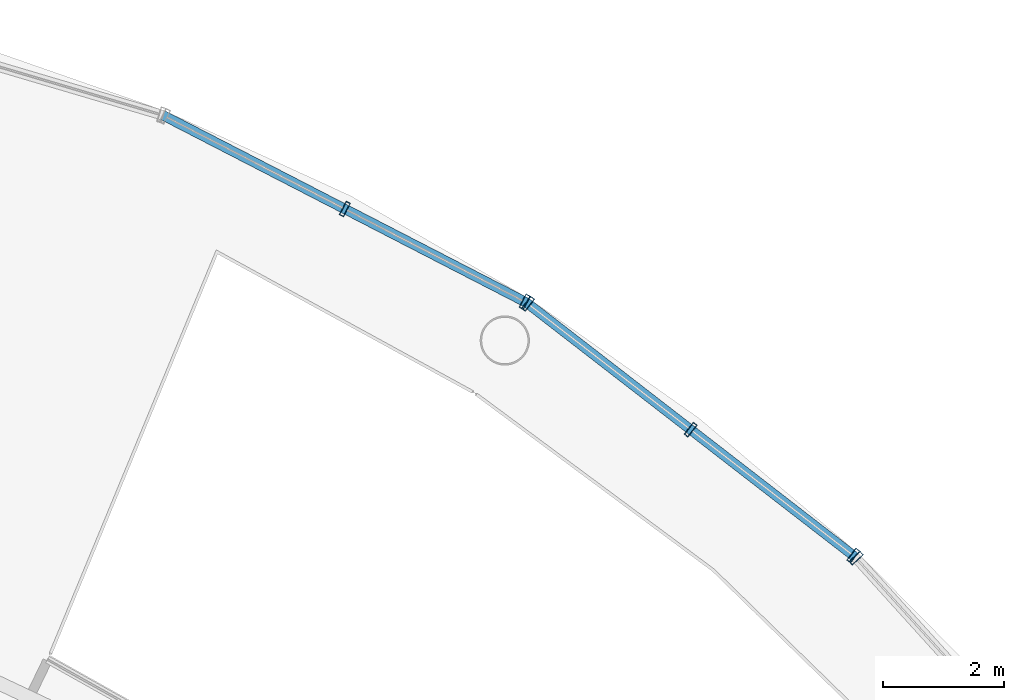
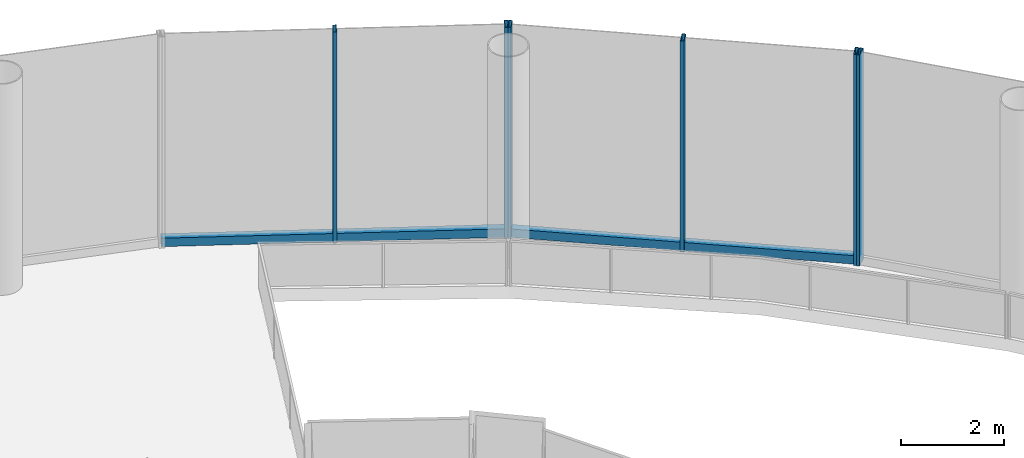
# One storey, part 36 of 47: 8 members, 3 elements without a shape of their own.
"""IFC4 building model written with IfcOpenShell, lengths in metres."""

from ifc_helpers import new_model, si_unit, direction, frame, origin, origin_2d, place, context, subcontext, project, spatial, hollow_rectangle, extrude, material, layer, layer_set, material_profile, profile_set, type_object, element, aggregate, save


model = new_model("IFC4")

# Units and contexts
model_context = context("Model", 3, precision=1e-05, world=origin(), true_north=direction((0.0, 1.0)))
body_context = subcontext(model_context, "Body", "Model", "MODEL_VIEW")
ifc_project = project(units=[si_unit("LENGTHUNIT", "METRE"), si_unit("AREAUNIT", "SQUARE_METRE"), si_unit("VOLUMEUNIT", "CUBIC_METRE"), si_unit("PLANEANGLEUNIT", "RADIAN"), si_unit("MASSUNIT", "GRAM", prefix="KILO")], contexts=[model_context])

# Site, building, storey
site_placement = place(None, origin())
site = spatial("IfcSite", under=ifc_project, at=site_placement, CompositionType="ELEMENT")
building_placement = place(site_placement, origin())
building = spatial("IfcBuilding", under=site, at=building_placement, Name="Nagisa Residences", CompositionType="ELEMENT")
storey_placement = place(building_placement, frame((0.0, 0.0, 17.0)))
storey = spatial("IfcBuildingStorey", under=building, at=storey_placement, Name="L03", CompositionType="ELEMENT", Elevation=17.0)

# Curtain wall, member
ifc_material_1 = material(Name="Stainless steel curtain wall system", Category="steel")
ifc_layer = layer(ifc_material_1, 0.159912109375)
ifc_layer_set = layer_set([ifc_layer], Name="CW3 CURTAIN WALL")
curtain_wall_type = type_object("IfcCurtainWallType", Name="CW3 CURTAIN WALL", PredefinedType="NOTDEFINED", material=ifc_layer_set)
curtain_wall_1_placement = place(storey_placement, origin())
curtain_wall_1 = element("IfcCurtainWall", 1, at=curtain_wall_1_placement, inside=storey, type_object=curtain_wall_type, Name="cw:CW3:L03:04", PredefinedType="NOTDEFINED")
ifc_material_2 = material(Name="Stainless steel", Category="steel")
ifc_material_profile_1 = material_profile(ifc_material_2, hollow_rectangle(XDim=0.25, YDim=0.080078125, WallThickness=0.008056640625, at=origin_2d()), Name="CW3 MULLION 250x80")
ifc_profile_set_1 = profile_set([ifc_material_profile_1], Name="Stainless steel")
member_type_1 = type_object("IfcMemberType", Name="CW3 MULLION 250x80", PredefinedType="MULLION", material=ifc_profile_set_1)
member_1_placement = place(storey_placement, frame((27.993408203125, 32.090576171875, 0.0), z_axis=(0.0, 0.0, 1.0), x_axis=(-0.741535779122, -0.670913323971, 0.0)))
member_1 = element("IfcMember", 2, at=member_1_placement, type_object=member_type_1, Name="CW3 mullion", PredefinedType="MULLION", context=body_context, shape_type="SweptSolid", body=[
    extrude(hollow_rectangle(XDim=0.25, YDim=0.080078125, WallThickness=0.008056640625, at=origin_2d()), origin(), (0.0, 0.0, 1.0), 5.0),
])
aggregate(curtain_wall_1, [member_1])

# Curtain wall, members
curtain_wall_2_placement = place(storey_placement, origin())
curtain_wall_2 = element("IfcCurtainWall", 3, at=curtain_wall_2_placement, inside=storey, type_object=curtain_wall_type, Name="cw:CW3:L03:05", PredefinedType="NOTDEFINED")
member_2_placement = place(storey_placement, frame((27.9453125, 32.135009765625, 0.0), z_axis=(0.0, 0.0, 1.0), x_axis=(-0.612034757172, -0.790830864353, 0.0)))
member_2 = element("IfcMember", 4, at=member_2_placement, type_object=member_type_1, Name="CW3 mullion", PredefinedType="MULLION", context=body_context, shape_type="SweptSolid", body=[
    extrude(hollow_rectangle(XDim=0.25, YDim=0.080078125, WallThickness=0.008056640625, at=origin_2d()), origin(), (0.0, 0.0, 1.0), 5.0),
])
member_3_placement = place(storey_placement, frame((25.263916015625, 34.210205078125, 0.0), z_axis=(0.0, 0.0, 1.0), x_axis=(-0.612034757172, -0.790830864353, 0.0)))
member_3 = element("IfcMember", 5, at=member_3_placement, type_object=member_type_1, Name="CW3 mullion", PredefinedType="MULLION", context=body_context, shape_type="SweptSolid", body=[
    extrude(hollow_rectangle(XDim=0.25, YDim=0.080078125, WallThickness=0.008056640625, at=origin_2d()), origin(), (0.0, 0.0, 1.0), 5.0),
])
member_4_placement = place(storey_placement, frame((22.582763671875, 36.285400390625, 0.0), z_axis=(0.0, 0.0, 1.0), x_axis=(-0.612034757172, -0.790830864353, 0.0)))
member_4 = element("IfcMember", 6, at=member_4_placement, type_object=member_type_1, Name="CW3 mullion", PredefinedType="MULLION", context=body_context, shape_type="SweptSolid", body=[
    extrude(hollow_rectangle(XDim=0.25, YDim=0.080078125, WallThickness=0.008056640625, at=origin_2d()), origin(), (0.0, 0.0, 1.0), 5.0),
])

curtain_wall_3_placement = place(storey_placement, origin())
curtain_wall_3 = element("IfcCurtainWall", 7, at=curtain_wall_3_placement, inside=storey, type_object=curtain_wall_type, Name="cw:CW3:L03:06", PredefinedType="NOTDEFINED")
member_5_placement = place(storey_placement, frame((22.52783203125, 36.3203125, 0.0), z_axis=(0.0, 0.0, 1.0), x_axis=(-0.45812598783, -0.888887270285, 0.0)))
member_5 = element("IfcMember", 8, at=member_5_placement, type_object=member_type_1, Name="CW3 mullion", PredefinedType="MULLION", context=body_context, shape_type="SweptSolid", body=[
    extrude(hollow_rectangle(XDim=0.25, YDim=0.080078125, WallThickness=0.008056640625, at=origin_2d()), origin(), (0.0, 0.0, 1.0), 5.0),
])
member_6_placement = place(storey_placement, frame((19.561767578125, 37.848876953125, 0.0), z_axis=(0.0, 0.0, 1.0), x_axis=(-0.45812598783, -0.888887270285, 0.0)))
member_6 = element("IfcMember", 9, at=member_6_placement, type_object=member_type_1, Name="CW3 mullion", PredefinedType="MULLION", context=body_context, shape_type="SweptSolid", body=[
    extrude(hollow_rectangle(XDim=0.25, YDim=0.080078125, WallThickness=0.008056640625, at=origin_2d()), origin(), (0.0, 0.0, 1.0), 5.0),
])

# Member
ifc_material_3 = material(Name="Stainless steel", Category="steel")
ifc_material_profile_2 = material_profile(ifc_material_3, hollow_rectangle(XDim=0.159912109375, YDim=0.199951171875, WallThickness=0.008056640625, at=origin_2d()), Name="CW3 TRANSOM 160x200")
ifc_profile_set_2 = profile_set([ifc_material_profile_2], Name="Stainless steel")
member_type_2 = type_object("IfcMemberType", Name="CW3 TRANSOM 160x200", PredefinedType="USERDEFINED", material=ifc_profile_set_2)
member_7_placement = place(storey_placement, frame((27.97705078125, 32.110595703125, 0.10009765625), z_axis=(-0.790834819486, 0.612029646576, 0.0), x_axis=(-0.612029646576, -0.790834819486, 0.0)))
member_7 = element("IfcMember", 10, at=member_7_placement, type_object=member_type_2, Name="CW3 transom", ObjectType="TRANSOM", PredefinedType="USERDEFINED", context=body_context, shape_type="SweptSolid", body=[
    extrude(hollow_rectangle(XDim=0.159912109375, YDim=0.199951171875, WallThickness=0.008056640625, at=origin_2d()), origin(), (0.0, 0.0, 1.0), 6.861083984375),
])

aggregate(curtain_wall_2, [member_2, member_3, member_4, member_7])

member_8_placement = place(storey_placement, frame((22.563232421875, 36.302001953125, 0.10009765625), z_axis=(-0.888887130152, 0.458126259726, 0.0), x_axis=(-0.458126259726, -0.888887130152, 0.0)))
member_8 = element("IfcMember", 11, at=member_8_placement, type_object=member_type_2, Name="CW3 transom", ObjectType="TRANSOM", PredefinedType="USERDEFINED", context=body_context, shape_type="SweptSolid", body=[
    extrude(hollow_rectangle(XDim=0.159912109375, YDim=0.199951171875, WallThickness=0.008056640625, at=origin_2d()), origin(), (0.0, 0.0, 1.0), 6.753662109375),
])

aggregate(curtain_wall_3, [member_5, member_6, member_8])

save(model, "model.ifc")
